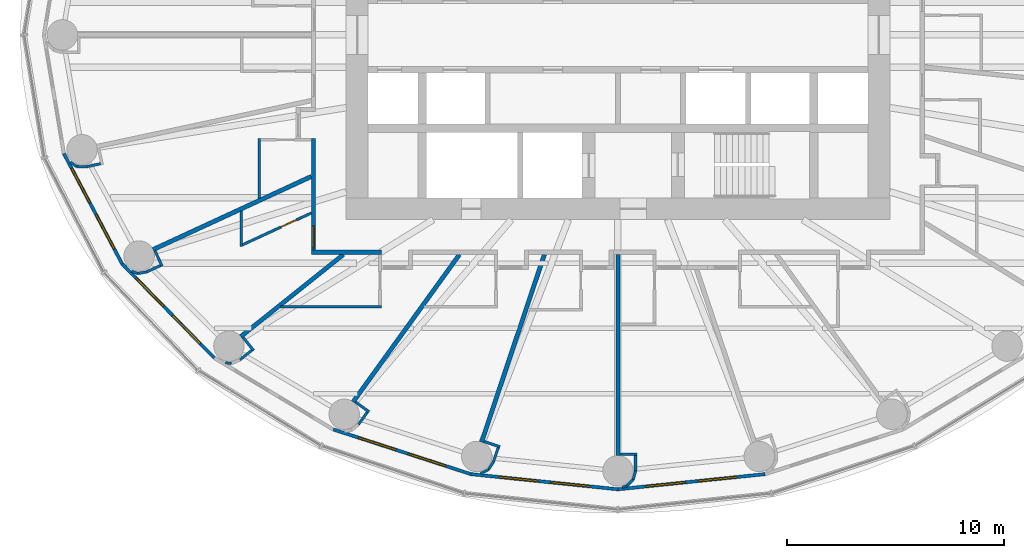
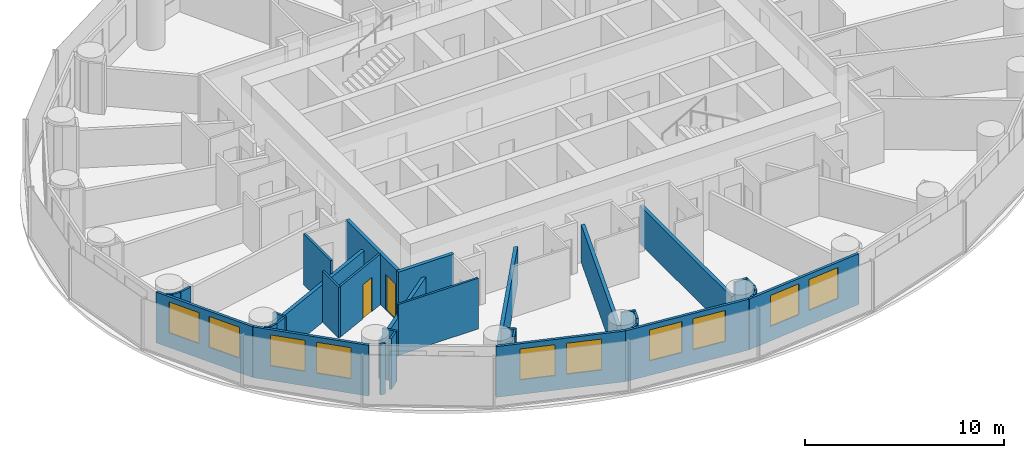
# One storey, part 6 of 14: 37 walls, 10 windows, 2 doors, 12 openings.
"""IFC4 building model written with IfcOpenShell, lengths in metres."""

from ifc_helpers import new_model, si_unit, direction, frame, frame_2d, origin, place, context, subcontext, project, spatial, rectangle, extrude, material, layer, layer_set, type_object, element, fill, save


model = new_model("IFC4")

# Units and contexts
model_context = context("Model", 3, precision=1e-05, world=origin(), true_north=direction((0.0, 1.0)))
body_context = subcontext(model_context, "Body", "Model", "MODEL_VIEW")
ifc_project = project(units=[si_unit("LENGTHUNIT", "METRE"), si_unit("AREAUNIT", "SQUARE_METRE"), si_unit("VOLUMEUNIT", "CUBIC_METRE"), si_unit("PLANEANGLEUNIT", "RADIAN"), si_unit("MASSUNIT", "GRAM", prefix="KILO")], contexts=[model_context])

# Site, building, storey
site_placement = place(None, origin())
site = spatial("IfcSite", under=ifc_project, at=site_placement, CompositionType="ELEMENT")
building_placement = place(site_placement, origin())
building = spatial("IfcBuilding", under=site, at=building_placement, Name="Hankou Lantern Tower", CompositionType="ELEMENT")
storey_placement = place(building_placement, frame((0.0, 0.0, 50.699951171875)))
storey = spatial("IfcBuildingStorey", under=building, at=storey_placement, Name="L11", CompositionType="ELEMENT", Elevation=50.699951171875)

# Wall, openings, windows
ifc_material_1 = material(Name="Aluminium spandrel panel on steel studs", Category="steel")
ifc_layer_1 = layer(ifc_material_1, 0.14990234375)
ifc_layer_set_1 = layer_set([ifc_layer_1], Name="Aluminium spandrel panel on steel studs")
wall_type_1 = type_object("IfcWallType", Name="EW1 INNER SKIN WALL 150", PredefinedType="ELEMENTEDWALL", material=ifc_layer_set_1)
wall_1_placement = place(storey_placement, frame((-25.482421875, -5.46240234375, 0.0), z_axis=(0.0, 0.0, 1.0), x_axis=(0.467296867008, -0.884100468321, 0.0)))
wall_1 = element("IfcWall", 1, at=wall_1_placement, inside=storey, type_object=wall_type_1, Name="Inner skin R14-R15 L11", PredefinedType="ELEMENTEDWALL", context=body_context, shape_type="SweptSolid", body=[
    extrude(rectangle(XDim=5.734375, YDim=0.14990234375, at=frame_2d((2.8671875, 0.0))), origin(), (0.0, 0.0, 1.0), 3.1201171875),
])
opening_1_placement = place(wall_1_placement, frame((0.76708984375, 0.0, 0.89990234375)))
opening_1 = element("IfcOpeningElement", 2, at=opening_1_placement, cuts=wall_1, Name="Opening W1", PredefinedType="OPENING", context=body_context, shape_type="SweptSolid", body=[
    extrude(rectangle(XDim=1.800048828125, YDim=1.89990234375, at=frame_2d((0.89990234375, 0.949951171875))), frame((0.0, 0.0849609375, 0.0), z_axis=(0.0, -1.0, 0.0), x_axis=(1.0, 0.0, 0.0)), (0.0, 0.0, 1.0), 0.169921875),
])
opening_2_placement = place(wall_1_placement, frame((3.167236328125, 0.0, 0.89990234375)))
opening_2 = element("IfcOpeningElement", 3, at=opening_2_placement, cuts=wall_1, Name="Opening W1", PredefinedType="OPENING", context=body_context, shape_type="SweptSolid", body=[
    extrude(rectangle(XDim=1.800048828125, YDim=1.89990234375, at=frame_2d((0.89990234375, 0.949951171875))), frame((0.0, 0.0849609375, 0.0), z_axis=(0.0, -1.0, 0.0), x_axis=(1.0, 0.0, 0.0)), (0.0, 0.0, 1.0), 0.169921875),
])
ifc_material_2 = material(Name="Aluminium framed double glazed window", Category="aluminium")
window_type = type_object("IfcWindowType", Name="W1 GUEST ROOM WINDOW 1800X1900", PartitioningType="DOUBLE_PANEL_VERTICAL", PredefinedType="WINDOW", material=ifc_material_2)
window_1_placement = place(opening_1_placement, origin())
window_1 = element("IfcWindow", 4, at=window_1_placement, inside=storey, type_object=window_type, Name="Window R14.1 L11", OverallHeight=1.89990234375, OverallWidth=1.800048828125, PartitioningType="SINGLE_PANEL", PredefinedType="WINDOW", context=body_context, shape_type="SweptSolid", body=[
    extrude(rectangle(XDim=1.800048828125, YDim=1.89990234375, at=frame_2d((0.89990234375, 0.949951171875))), frame((0.0, 0.030029296875, 0.0), z_axis=(0.0, -1.0, 0.0), x_axis=(1.0, 0.0, 0.0)), (0.0, 0.0, 1.0), 0.06005859375),
])
fill(opening_1, window_1)
window_2_placement = place(opening_2_placement, origin())
window_2 = element("IfcWindow", 5, at=window_2_placement, inside=storey, type_object=window_type, Name="Window R14.2 L11", OverallHeight=1.89990234375, OverallWidth=1.800048828125, PartitioningType="SINGLE_PANEL", PredefinedType="WINDOW", context=body_context, shape_type="SweptSolid", body=[
    extrude(rectangle(XDim=1.800048828125, YDim=1.89990234375, at=frame_2d((0.89990234375, 0.949951171875))), frame((0.0, 0.030029296875, 0.0), z_axis=(0.0, -1.0, 0.0), x_axis=(1.0, 0.0, 0.0)), (0.0, 0.0, 1.0), 0.06005859375),
])
fill(opening_2, window_2)

wall_2_placement = place(storey_placement, frame((-22.802734375, -10.5322265625, 0.0), z_axis=(0.0, 0.0, 1.0), x_axis=(0.699602905915, -0.714531856557, 0.0)))
wall_2 = element("IfcWall", 6, at=wall_2_placement, inside=storey, type_object=wall_type_1, Name="Inner skin R15-R16 L11", PredefinedType="ELEMENTEDWALL", context=body_context, shape_type="SweptSolid", body=[
    extrude(rectangle(XDim=6.05078125, YDim=0.14990234375, at=frame_2d((3.025390625, 0.0))), origin(), (0.0, 0.0, 1.0), 3.1201171875),
])
opening_3_placement = place(wall_2_placement, frame((0.925537109375, 0.0, 0.89990234375)))
opening_3 = element("IfcOpeningElement", 7, at=opening_3_placement, cuts=wall_2, Name="Opening W1", PredefinedType="OPENING", context=body_context, shape_type="SweptSolid", body=[
    extrude(rectangle(XDim=1.800048828125, YDim=1.89990234375, at=frame_2d((0.89990234375, 0.949951171875))), frame((0.0, 0.0849609375, 0.0), z_axis=(0.0, -1.0, 0.0), x_axis=(1.0, 0.0, 0.0)), (0.0, 0.0, 1.0), 0.169921875),
])
opening_4_placement = place(wall_2_placement, frame((3.325439453125, 0.0, 0.89990234375)))
opening_4 = element("IfcOpeningElement", 8, at=opening_4_placement, cuts=wall_2, Name="Opening W1", PredefinedType="OPENING", context=body_context, shape_type="SweptSolid", body=[
    extrude(rectangle(XDim=1.800048828125, YDim=1.89990234375, at=frame_2d((0.89990234375, 0.949951171875))), frame((0.0, 0.0849609375, 0.0), z_axis=(0.0, -1.0, 0.0), x_axis=(1.0, 0.0, 0.0)), (0.0, 0.0, 1.0), 0.169921875),
])
window_3_placement = place(opening_3_placement, origin())
window_3 = element("IfcWindow", 9, at=window_3_placement, inside=storey, type_object=window_type, Name="Window R15.1 L11", OverallHeight=1.89990234375, OverallWidth=1.800048828125, PartitioningType="SINGLE_PANEL", PredefinedType="WINDOW", context=body_context, shape_type="SweptSolid", body=[
    extrude(rectangle(XDim=1.800048828125, YDim=1.89990234375, at=frame_2d((0.89990234375, 0.949951171875))), frame((0.0, 0.030029296875, 0.0), z_axis=(0.0, -1.0, 0.0), x_axis=(1.0, 0.0, 0.0)), (0.0, 0.0, 1.0), 0.06005859375),
])
fill(opening_3, window_3)
window_4_placement = place(opening_4_placement, origin())
window_4 = element("IfcWindow", 10, at=window_4_placement, inside=storey, type_object=window_type, Name="Window R15.2 L11", OverallHeight=1.89990234375, OverallWidth=1.800048828125, PartitioningType="SINGLE_PANEL", PredefinedType="WINDOW", context=body_context, shape_type="SweptSolid", body=[
    extrude(rectangle(XDim=1.800048828125, YDim=1.89990234375, at=frame_2d((0.89990234375, 0.949951171875))), frame((0.0, 0.030029296875, 0.0), z_axis=(0.0, -1.0, 0.0), x_axis=(1.0, 0.0, 0.0)), (0.0, 0.0, 1.0), 0.06005859375),
])
fill(opening_4, window_4)

wall_3_placement = place(storey_placement, frame((-13.096435546875, -18.14697265625, 0.0), z_axis=(0.0, 0.0, 1.0), x_axis=(0.951137534625, -0.308767534285, 0.0)))
wall_3 = element("IfcWall", 11, at=wall_3_placement, inside=storey, type_object=wall_type_1, Name="Inner skin R17-R18 L11", PredefinedType="ELEMENTEDWALL", context=body_context, shape_type="SweptSolid", body=[
    extrude(rectangle(XDim=6.6552734375, YDim=0.14990234375, at=frame_2d((3.32763671875, 0.0))), origin(), (0.0, 0.0, 1.0), 3.1201171875),
])
opening_5_placement = place(wall_3_placement, frame((1.2275390625, 0.0, 0.89990234375)))
opening_5 = element("IfcOpeningElement", 12, at=opening_5_placement, cuts=wall_3, Name="Opening W1", PredefinedType="OPENING", context=body_context, shape_type="SweptSolid", body=[
    extrude(rectangle(XDim=1.800048828125, YDim=1.89990234375, at=frame_2d((0.89990234375, 0.949951171875))), frame((0.0, 0.0849609375, 0.0), z_axis=(0.0, -1.0, 0.0), x_axis=(1.0, 0.0, 0.0)), (0.0, 0.0, 1.0), 0.169921875),
])
opening_6_placement = place(wall_3_placement, frame((3.627685546875, 0.0, 0.89990234375)))
opening_6 = element("IfcOpeningElement", 13, at=opening_6_placement, cuts=wall_3, Name="Opening W1", PredefinedType="OPENING", context=body_context, shape_type="SweptSolid", body=[
    extrude(rectangle(XDim=1.800048828125, YDim=1.89990234375, at=frame_2d((0.89990234375, 0.949951171875))), frame((0.0, 0.0849609375, 0.0), z_axis=(0.0, -1.0, 0.0), x_axis=(1.0, 0.0, 0.0)), (0.0, 0.0, 1.0), 0.169921875),
])
window_5_placement = place(opening_5_placement, origin())
window_5 = element("IfcWindow", 14, at=window_5_placement, inside=storey, type_object=window_type, Name="Window R17.1 L11", OverallHeight=1.89990234375, OverallWidth=1.800048828125, PartitioningType="SINGLE_PANEL", PredefinedType="WINDOW", context=body_context, shape_type="SweptSolid", body=[
    extrude(rectangle(XDim=1.800048828125, YDim=1.89990234375, at=frame_2d((0.89990234375, 0.949951171875))), frame((0.0, 0.030029296875, 0.0), z_axis=(0.0, -1.0, 0.0), x_axis=(1.0, 0.0, 0.0)), (0.0, 0.0, 1.0), 0.06005859375),
])
fill(opening_5, window_5)
window_6_placement = place(opening_6_placement, origin())
window_6 = element("IfcWindow", 15, at=window_6_placement, inside=storey, type_object=window_type, Name="Window R17.2 L11", OverallHeight=1.89990234375, OverallWidth=1.800048828125, PartitioningType="SINGLE_PANEL", PredefinedType="WINDOW", context=body_context, shape_type="SweptSolid", body=[
    extrude(rectangle(XDim=1.800048828125, YDim=1.89990234375, at=frame_2d((0.89990234375, 0.949951171875))), frame((0.0, 0.030029296875, 0.0), z_axis=(0.0, -1.0, 0.0), x_axis=(1.0, 0.0, 0.0)), (0.0, 0.0, 1.0), 0.06005859375),
])
fill(opening_6, window_6)

wall_4_placement = place(storey_placement, frame((-6.766357421875, -20.201904296875, 0.0), z_axis=(0.0, 0.0, 1.0), x_axis=(0.994721394369, -0.102612609291, 0.0)))
wall_4 = element("IfcWall", 16, at=wall_4_placement, inside=storey, type_object=wall_type_1, Name="Inner skin R18-R19 L11", PredefinedType="ELEMENTEDWALL", context=body_context, shape_type="SweptSolid", body=[
    extrude(rectangle(XDim=6.80224609375, YDim=0.14990234375, at=frame_2d((3.401123046875, 0.0))), origin(), (0.0, 0.0, 1.0), 3.1201171875),
])
opening_7_placement = place(wall_4_placement, frame((1.301025390625, 0.0, 0.89990234375)))
opening_7 = element("IfcOpeningElement", 17, at=opening_7_placement, cuts=wall_4, Name="Opening W1", PredefinedType="OPENING", context=body_context, shape_type="SweptSolid", body=[
    extrude(rectangle(XDim=1.800048828125, YDim=1.89990234375, at=frame_2d((0.89990234375, 0.949951171875))), frame((0.0, 0.0849609375, 0.0), z_axis=(0.0, -1.0, 0.0), x_axis=(1.0, 0.0, 0.0)), (0.0, 0.0, 1.0), 0.169921875),
])
opening_8_placement = place(wall_4_placement, frame((3.701171875, 0.0, 0.89990234375)))
opening_8 = element("IfcOpeningElement", 18, at=opening_8_placement, cuts=wall_4, Name="Opening W1", PredefinedType="OPENING", context=body_context, shape_type="SweptSolid", body=[
    extrude(rectangle(XDim=1.800048828125, YDim=1.89990234375, at=frame_2d((0.89990234375, 0.949951171875))), frame((0.0, 0.0849609375, 0.0), z_axis=(0.0, -1.0, 0.0), x_axis=(1.0, 0.0, 0.0)), (0.0, 0.0, 1.0), 0.169921875),
])
window_7_placement = place(opening_7_placement, origin())
window_7 = element("IfcWindow", 19, at=window_7_placement, inside=storey, type_object=window_type, Name="Window R18.1 L11", OverallHeight=1.89990234375, OverallWidth=1.800048828125, PartitioningType="SINGLE_PANEL", PredefinedType="WINDOW", context=body_context, shape_type="SweptSolid", body=[
    extrude(rectangle(XDim=1.800048828125, YDim=1.89990234375, at=frame_2d((0.89990234375, 0.949951171875))), frame((0.0, 0.030029296875, 0.0), z_axis=(0.0, -1.0, 0.0), x_axis=(1.0, 0.0, 0.0)), (0.0, 0.0, 1.0), 0.06005859375),
])
fill(opening_7, window_7)
window_8_placement = place(opening_8_placement, origin())
window_8 = element("IfcWindow", 20, at=window_8_placement, inside=storey, type_object=window_type, Name="Window R18.2 L11", OverallHeight=1.89990234375, OverallWidth=1.800048828125, PartitioningType="SINGLE_PANEL", PredefinedType="WINDOW", context=body_context, shape_type="SweptSolid", body=[
    extrude(rectangle(XDim=1.800048828125, YDim=1.89990234375, at=frame_2d((0.89990234375, 0.949951171875))), frame((0.0, 0.030029296875, 0.0), z_axis=(0.0, -1.0, 0.0), x_axis=(1.0, 0.0, 0.0)), (0.0, 0.0, 1.0), 0.06005859375),
])
fill(opening_8, window_8)

wall_5_placement = place(storey_placement, frame((0.0, -20.89990234375, 0.0), z_axis=(0.0, 0.0, 1.0), x_axis=(0.994721394369, 0.102612609291, 0.0)))
wall_5 = element("IfcWall", 21, at=wall_5_placement, inside=storey, type_object=wall_type_1, Name="Inner skin R19-R20 L11", PredefinedType="ELEMENTEDWALL", context=body_context, shape_type="SweptSolid", body=[
    extrude(rectangle(XDim=6.80224609375, YDim=0.14990234375, at=frame_2d((3.401123046875, 0.0))), origin(), (0.0, 0.0, 1.0), 3.1201171875),
])
opening_9_placement = place(wall_5_placement, frame((1.301025390625, 0.0, 0.89990234375)))
opening_9 = element("IfcOpeningElement", 22, at=opening_9_placement, cuts=wall_5, Name="Opening W1", PredefinedType="OPENING", context=body_context, shape_type="SweptSolid", body=[
    extrude(rectangle(XDim=1.800048828125, YDim=1.89990234375, at=frame_2d((0.89990234375, 0.949951171875))), frame((0.0, 0.0849609375, 0.0), z_axis=(0.0, -1.0, 0.0), x_axis=(1.0, 0.0, 0.0)), (0.0, 0.0, 1.0), 0.169921875),
])
opening_10_placement = place(wall_5_placement, frame((3.701171875, 0.0, 0.89990234375)))
opening_10 = element("IfcOpeningElement", 23, at=opening_10_placement, cuts=wall_5, Name="Opening W1", PredefinedType="OPENING", context=body_context, shape_type="SweptSolid", body=[
    extrude(rectangle(XDim=1.800048828125, YDim=1.89990234375, at=frame_2d((0.89990234375, 0.949951171875))), frame((0.0, 0.0849609375, 0.0), z_axis=(0.0, -1.0, 0.0), x_axis=(1.0, 0.0, 0.0)), (0.0, 0.0, 1.0), 0.169921875),
])
window_9_placement = place(opening_9_placement, origin())
window_9 = element("IfcWindow", 24, at=window_9_placement, inside=storey, type_object=window_type, Name="Window R19.1 L11", OverallHeight=1.89990234375, OverallWidth=1.800048828125, PartitioningType="SINGLE_PANEL", PredefinedType="WINDOW", context=body_context, shape_type="SweptSolid", body=[
    extrude(rectangle(XDim=1.800048828125, YDim=1.89990234375, at=frame_2d((0.89990234375, 0.949951171875))), frame((0.0, 0.030029296875, 0.0), z_axis=(0.0, -1.0, 0.0), x_axis=(1.0, 0.0, 0.0)), (0.0, 0.0, 1.0), 0.06005859375),
])
fill(opening_9, window_9)
window_10_placement = place(opening_10_placement, origin())
window_10 = element("IfcWindow", 25, at=window_10_placement, inside=storey, type_object=window_type, Name="Window R19.2 L11", OverallHeight=1.89990234375, OverallWidth=1.800048828125, PartitioningType="SINGLE_PANEL", PredefinedType="WINDOW", context=body_context, shape_type="SweptSolid", body=[
    extrude(rectangle(XDim=1.800048828125, YDim=1.89990234375, at=frame_2d((0.89990234375, 0.949951171875))), frame((0.0, 0.030029296875, 0.0), z_axis=(0.0, -1.0, 0.0), x_axis=(1.0, 0.0, 0.0)), (0.0, 0.0, 1.0), 0.06005859375),
])
fill(opening_10, window_10)

# Walls
ifc_material_3 = material(Name="Masonry lightweight concrete block", Category="masonry")
ifc_layer_2 = layer(ifc_material_3, 0.199951171875)
ifc_layer_set_2 = layer_set([ifc_layer_2], Name="Masonry lightweight concrete block")
wall_type_2 = type_object("IfcWallType", Name="IW1 GUEST ROOM PARTY WALL 200", PredefinedType="PARTITIONING", material=ifc_layer_set_2)
wall_6_placement = place(storey_placement, frame((-14.10009765625, -6.512451171875, 0.0), z_axis=(0.0, 0.0, 1.0), x_axis=(-0.907832871056, -0.419332181247, 0.0)))
element("IfcWall", 26, at=wall_6_placement, inside=storey, type_object=wall_type_2, Name="Party wall R15", PredefinedType="PARTITIONING", context=body_context, shape_type="SweptSolid", body=[
    extrude(rectangle(XDim=8.02294921875, YDim=0.199951171875, at=frame_2d((4.011474609375, 0.0))), origin(), (0.0, 0.0, 1.0), 2.320068359375),
])
wall_7_placement = place(storey_placement, frame((-12.625, -10.10009765625, 0.0), z_axis=(0.0, 0.0, 1.0), x_axis=(-0.780892451574, -0.624665493744, 0.0)))
element("IfcWall", 27, at=wall_7_placement, inside=storey, type_object=wall_type_2, Name="Party wall R16", PredefinedType="PARTITIONING", context=body_context, shape_type="SweptSolid", body=[
    extrude(rectangle(XDim=6.044677734375, YDim=0.199951171875, at=frame_2d((3.0224609375, 0.0))), origin(), (0.0, 0.0, 1.0), 2.320068359375),
])
wall_8_placement = place(storey_placement, frame((-7.2890625, -10.10009765625, 0.0), z_axis=(0.0, 0.0, 1.0), x_axis=(-0.585198353053, -0.810890182197, 0.0)))
element("IfcWall", 28, at=wall_8_placement, inside=storey, type_object=wall_type_2, Name="Party wall R17", PredefinedType="PARTITIONING", context=body_context, shape_type="SweptSolid", body=[
    extrude(rectangle(XDim=8.359619140625, YDim=0.199951171875, at=frame_2d((4.1796875, 0.0))), origin(), (0.0, 0.0, 1.0), 2.320068359375),
])
wall_9_placement = place(storey_placement, frame((-3.3828125, -10.10009765625, 0.0), z_axis=(0.0, 0.0, 1.0), x_axis=(-0.31759592231, -0.948226149256, 0.0)))
element("IfcWall", 29, at=wall_9_placement, inside=storey, type_object=wall_type_2, Name="Party wall R18", PredefinedType="PARTITIONING", context=body_context, shape_type="SweptSolid", body=[
    extrude(rectangle(XDim=9.098388671875, YDim=0.199951171875, at=frame_2d((4.54931640625, 0.0))), origin(), (0.0, 0.0, 1.0), 2.320068359375),
])
wall_10_placement = place(storey_placement, frame((0.0, -10.10009765625, 0.0), z_axis=(0.0, 0.0, 1.0), x_axis=(0.0, -1.0, 0.0)))
element("IfcWall", 30, at=wall_10_placement, inside=storey, type_object=wall_type_2, Name="Party wall R19", PredefinedType="PARTITIONING", context=body_context, shape_type="SweptSolid", body=[
    extrude(rectangle(XDim=9.25, YDim=0.199951171875, at=frame_2d((4.625, 0.0))), origin(), (0.0, 0.0, 1.0), 2.320068359375),
])

# Wall, opening, door
ifc_material_4 = material(Name="Masonry lightweight concrete block", Category="masonry")
ifc_layer_3 = layer(ifc_material_4, 0.199951171875)
ifc_layer_set_3 = layer_set([ifc_layer_3], Name="Masonry lightweight concrete block")
wall_type_3 = type_object("IfcWallType", Name="IW2 CORRIDOR WALL 200", PredefinedType="PARTITIONING", material=ifc_layer_set_3)
wall_11_placement = place(storey_placement, frame((-14.0, -4.7724609375, 0.0), z_axis=(0.0, 0.0, 1.0), x_axis=(0.0, -1.0, 0.0)))
wall_11 = element("IfcWall", 31, at=wall_11_placement, inside=storey, type_object=wall_type_3, Name="Corridor wall west", PredefinedType="PARTITIONING", context=body_context, shape_type="SweptSolid", body=[
    extrude(rectangle(XDim=5.12744140625, YDim=0.199951171875, at=frame_2d((2.563720703125, 0.0))), origin(), (0.0, 0.0, 1.0), 3.1201171875),
])
opening_11_placement = place(wall_11_placement, frame((4.02490234375, 0.0, 0.0)))
opening_11 = element("IfcOpeningElement", 32, at=opening_11_placement, cuts=wall_11, Name="Opening D1", PredefinedType="OPENING", context=body_context, shape_type="SweptSolid", body=[
    extrude(rectangle(XDim=1.0, YDim=2.199951171875, at=frame_2d((0.5, 1.10009765625))), frame((0.0, 0.10986328125, 0.0), z_axis=(0.0, -1.0, 0.0), x_axis=(1.0, 0.0, 0.0)), (0.0, 0.0, 1.0), 0.219970703125),
])
ifc_material_5 = material(Name="Steel door leaf", Category="steel")
door_type_1 = type_object("IfcDoorType", Name="D1 GUEST ROOM DOOR 1000X2200", OperationType="SINGLE_SWING_LEFT", PredefinedType="DOOR", material=ifc_material_5)
door_1_placement = place(opening_11_placement, origin())
door_1 = element("IfcDoor", 33, at=door_1_placement, inside=storey, type_object=door_type_1, Name="Guest room door 1111", OperationType="SINGLE_SWING_RIGHT", OverallHeight=2.199951171875, OverallWidth=1.0, PredefinedType="DOOR", context=body_context, shape_type="SweptSolid", body=[
    extrude(rectangle(XDim=1.0, YDim=2.199951171875, at=frame_2d((0.5, 1.10009765625))), frame((0.0, 0.02490234375, 0.0), z_axis=(0.0, -1.0, 0.0), x_axis=(1.0, 0.0, 0.0)), (0.0, 0.0, 1.0), 0.050048828125),
])
fill(opening_11, door_1)

# Walls
wall_12_placement = place(storey_placement, frame((-10.885009765625, -10.0, 0.0), z_axis=(0.0, 0.0, 1.0), x_axis=(-1.0, 0.0, 0.0)))
element("IfcWall", 34, at=wall_12_placement, inside=storey, type_object=wall_type_3, Name="Corridor wall south", PredefinedType="PARTITIONING", context=body_context, shape_type="SweptSolid", body=[
    extrude(rectangle(XDim=3.215087890625, YDim=0.199951171875, at=frame_2d((1.607421875, 0.0))), origin(), (0.0, 0.0, 1.0), 3.1201171875),
])
ifc_material_6 = material(Name="Masonry lightweight concrete block", Category="masonry")
ifc_layer_4 = layer(ifc_material_6, 0.1201171875)
ifc_layer_set_4 = layer_set([ifc_layer_4], Name="Masonry lightweight concrete block")
wall_type_4 = type_object("IfcWallType", Name="IW3 BATHROOM WALL 120", PredefinedType="PARTITIONING", material=ifc_layer_set_4)
wall_13_placement = place(storey_placement, frame((-16.5, -7.52099609375, 0.0), z_axis=(0.0, 0.0, 1.0), x_axis=(0.0, 1.0, 0.0)))
element("IfcWall", 35, at=wall_13_placement, inside=storey, type_object=wall_type_4, Name="Box wall 1110 1", PredefinedType="PARTITIONING", context=body_context, shape_type="SweptSolid", body=[
    extrude(rectangle(XDim=2.74853515625, YDim=0.1201171875, at=frame_2d((1.374267578125, 0.0))), origin(), (0.0, 0.0, 1.0), 3.1201171875),
])
wall_14_placement = place(storey_placement, frame((-17.32275390625, -8.10107421875, 0.0), z_axis=(0.0, 0.0, 1.0), x_axis=(0.0, -1.0, 0.0)))
element("IfcWall", 36, at=wall_14_placement, inside=storey, type_object=wall_type_4, Name="Box wall 1111 1", PredefinedType="PARTITIONING", context=body_context, shape_type="SweptSolid", body=[
    extrude(rectangle(XDim=1.639892578125, YDim=0.1201171875, at=frame_2d((0.81982421875, 0.0))), origin(), (0.0, 0.0, 1.0), 3.1201171875),
])

# Wall, opening, door
wall_15_placement = place(storey_placement, frame((-14.10009765625, -8.192626953125, 0.0), z_axis=(0.0, 0.0, 1.0), x_axis=(-0.907836493557, -0.419324338628, 0.0)))
wall_15 = element("IfcWall", 37, at=wall_15_placement, inside=storey, type_object=wall_type_4, Name="Box wall 1111 1", PredefinedType="PARTITIONING", context=body_context, shape_type="SweptSolid", body=[
    extrude(rectangle(XDim=3.48974609375, YDim=0.1201171875, at=frame_2d((1.744873046875, 0.0))), origin(), (0.0, 0.0, 1.0), 3.1201171875),
])
opening_12_placement = place(wall_15_placement, frame((0.75, 0.0, 0.0)))
opening_12 = element("IfcOpeningElement", 38, at=opening_12_placement, cuts=wall_15, Name="Opening D3", PredefinedType="OPENING", context=body_context, shape_type="SweptSolid", body=[
    extrude(rectangle(XDim=0.800048828125, YDim=2.10009765625, at=frame_2d((0.39990234375, 1.050048828125))), frame((0.0, 0.070068359375, 0.0), z_axis=(0.0, -1.0, 0.0), x_axis=(1.0, 0.0, 0.0)), (0.0, 0.0, 1.0), 0.14013671875),
])
ifc_material_7 = material(Name="Timber door leaf", Category="wood")
door_type_2 = type_object("IfcDoorType", Name="D3 BATHROOM DOOR 800X2100", OperationType="SINGLE_SWING_LEFT", PredefinedType="DOOR", material=ifc_material_7)
door_2_placement = place(opening_12_placement, origin())
door_2 = element("IfcDoor", 39, at=door_2_placement, inside=storey, type_object=door_type_2, Name="En-suite bathroom 1111 door", OperationType="SINGLE_SWING_LEFT", OverallHeight=2.10009765625, OverallWidth=0.800048828125, PredefinedType="DOOR", context=body_context, shape_type="SweptSolid", body=[
    extrude(rectangle(XDim=0.800048828125, YDim=2.10009765625, at=frame_2d((0.39990234375, 1.050048828125))), frame((0.0, 0.02490234375, 0.0), z_axis=(0.0, -1.0, 0.0), x_axis=(1.0, 0.0, 0.0)), (0.0, 0.0, 1.0), 0.050048828125),
])
fill(opening_12, door_2)

# Walls
wall_16_placement = place(storey_placement, frame((-15.52490234375, -12.5, 0.0), z_axis=(0.0, 0.0, 1.0), x_axis=(1.0, 0.0, 0.0)))
element("IfcWall", 40, at=wall_16_placement, inside=storey, type_object=wall_type_4, Name="Box wall 1112 1", PredefinedType="PARTITIONING", context=body_context, shape_type="SweptSolid", body=[
    extrude(rectangle(XDim=4.639892578125, YDim=0.1201171875, at=frame_2d((2.31982421875, 0.0))), origin(), (0.0, 0.0, 1.0), 3.1201171875),
])
ifc_material_8 = material(Name="Masonry lightweight concrete block", Category="masonry")
ifc_layer_5 = layer(ifc_material_8, 0.1201171875)
ifc_layer_set_5 = layer_set([ifc_layer_5], Name="Masonry lightweight concrete block")
wall_type_5 = type_object("IfcWallType", Name="IW4 PARTITION 120", PredefinedType="PARTITIONING", material=ifc_layer_set_5)
wall_17_placement = place(storey_placement, frame((-23.793212890625, -5.92626953125, 0.0), z_axis=(0.0, 0.0, 1.0), x_axis=(-0.977792206673, -0.209576717621, 0.0)))
element("IfcWall", 41, at=wall_17_placement, inside=storey, type_object=wall_type_5, Name="Column casing R14", PredefinedType="PARTITIONING", context=body_context, shape_type="SweptSolid", body=[
    extrude(rectangle(XDim=0.7001953125, YDim=0.1201171875, at=frame_2d((0.35009765625, 0.0))), origin(), (0.0, 0.0, 1.0), 3.1201171875),
])
wall_18_placement = place(storey_placement, frame((-24.477783203125, -6.072998046875, 0.0), z_axis=(0.0, 0.0, 1.0), x_axis=(-0.998708262812, 0.05081147302, 0.0)))
element("IfcWall", 42, at=wall_18_placement, inside=storey, type_object=wall_type_5, Name="Column casing R14", PredefinedType="PARTITIONING", context=body_context, shape_type="SweptSolid", body=[
    extrude(rectangle(XDim=0.41796875, YDim=0.1201171875, at=frame_2d((0.208984375, 0.0))), origin(), (0.0, 0.0, 1.0), 3.1201171875),
])
wall_19_placement = place(storey_placement, frame((-24.895263671875, -6.0517578125, 0.0), z_axis=(0.0, 0.0, 1.0), x_axis=(-0.839495197275, 0.54336710772, 0.0)))
element("IfcWall", 43, at=wall_19_placement, inside=storey, type_object=wall_type_5, Name="Column casing R14", PredefinedType="PARTITIONING", context=body_context, shape_type="SweptSolid", body=[
    extrude(rectangle(XDim=0.349609375, YDim=0.1201171875, at=frame_2d((0.1748046875, 0.0))), origin(), (0.0, 0.0, 1.0), 3.1201171875),
])
wall_20_placement = place(storey_placement, frame((-21.287109375, -9.9423828125, 0.0), z_axis=(0.0, 0.0, 1.0), x_axis=(0.419259891039, -0.907866258744, 0.0)))
element("IfcWall", 44, at=wall_20_placement, inside=storey, type_object=wall_type_5, Name="Column casing R15 return", PredefinedType="PARTITIONING", context=body_context, shape_type="SweptSolid", body=[
    extrude(rectangle(XDim=0.767578125, YDim=0.1201171875, at=frame_2d((0.3837890625, 0.0))), origin(), (0.0, 0.0, 1.0), 3.1201171875),
])
wall_21_placement = place(storey_placement, frame((-21.044921875, -10.60986328125, 0.0), z_axis=(0.0, 0.0, 1.0), x_axis=(-0.907877701396, -0.419235112208, 0.0)))
element("IfcWall", 45, at=wall_21_placement, inside=storey, type_object=wall_type_5, Name="Column casing R15", PredefinedType="PARTITIONING", context=body_context, shape_type="SweptSolid", body=[
    extrude(rectangle(XDim=0.699951171875, YDim=0.1201171875, at=frame_2d((0.35009765625, 0.0))), origin(), (0.0, 0.0, 1.0), 3.1201171875),
])
wall_22_placement = place(storey_placement, frame((-21.680419921875, -10.9033203125, 0.0), z_axis=(0.0, 0.0, 1.0), x_axis=(-0.985446622073, -0.169985161247, 0.0)))
element("IfcWall", 46, at=wall_22_placement, inside=storey, type_object=wall_type_5, Name="Column casing R15", PredefinedType="PARTITIONING", context=body_context, shape_type="SweptSolid", body=[
    extrude(rectangle(XDim=0.41796875, YDim=0.1201171875, at=frame_2d((0.208984375, 0.0))), origin(), (0.0, 0.0, 1.0), 3.1201171875),
])
wall_23_placement = place(storey_placement, frame((-22.09228515625, -10.974365234375, 0.0), z_axis=(0.0, 0.0, 1.0), x_axis=(-0.938428160676, 0.345474437912, 0.0)))
element("IfcWall", 47, at=wall_23_placement, inside=storey, type_object=wall_type_5, Name="Column casing R15", PredefinedType="PARTITIONING", context=body_context, shape_type="SweptSolid", body=[
    extrude(rectangle(XDim=0.2939453125, YDim=0.1201171875, at=frame_2d((0.14697265625, 0.0))), origin(), (0.0, 0.0, 1.0), 3.1201171875),
])
wall_24_placement = place(storey_placement, frame((-17.23583984375, -13.916748046875, 0.0), z_axis=(0.0, 0.0, 1.0), x_axis=(0.624695047554, -0.780868809443, 0.0)))
element("IfcWall", 48, at=wall_24_placement, inside=storey, type_object=wall_type_5, Name="Column casing R16 return", PredefinedType="PARTITIONING", context=body_context, shape_type="SweptSolid", body=[
    extrude(rectangle(XDim=0.767578125, YDim=0.1201171875, at=frame_2d((0.3837890625, 0.0))), origin(), (0.0, 0.0, 1.0), 3.1201171875),
])
wall_25_placement = place(storey_placement, frame((-16.840576171875, -14.506591796875, 0.0), z_axis=(0.0, 0.0, 1.0), x_axis=(-0.780902834923, -0.62465251333, 0.0)))
element("IfcWall", 49, at=wall_25_placement, inside=storey, type_object=wall_type_5, Name="Column casing R16", PredefinedType="PARTITIONING", context=body_context, shape_type="SweptSolid", body=[
    extrude(rectangle(XDim=0.699951171875, YDim=0.1201171875, at=frame_2d((0.35009765625, 0.0))), origin(), (0.0, 0.0, 1.0), 3.1201171875),
])
wall_26_placement = place(storey_placement, frame((-17.770263671875, -15.111572265625, 0.0), z_axis=(0.0, 0.0, 1.0), x_axis=(-0.993904401174, 0.110245368731, 0.0)))
element("IfcWall", 50, at=wall_26_placement, inside=storey, type_object=wall_type_5, Name="Column casing R16", PredefinedType="PARTITIONING", context=body_context, shape_type="SweptSolid", body=[
    extrude(rectangle(XDim=0.287841796875, YDim=0.1201171875, at=frame_2d((0.14404296875, 0.0))), origin(), (0.0, 0.0, 1.0), 3.1201171875),
])
wall_27_placement = place(storey_placement, frame((-12.06494140625, -16.888671875, 0.0), z_axis=(0.0, 0.0, 1.0), x_axis=(0.810821798253, -0.585293098778, 0.0)))
element("IfcWall", 51, at=wall_27_placement, inside=storey, type_object=wall_type_5, Name="Column casing R17 return", PredefinedType="PARTITIONING", context=body_context, shape_type="SweptSolid", body=[
    extrude(rectangle(XDim=0.767578125, YDim=0.1201171875, at=frame_2d((0.3837890625, 0.0))), origin(), (0.0, 0.0, 1.0), 3.1201171875),
])
wall_28_placement = place(storey_placement, frame((-11.5263671875, -17.351318359375, 0.0), z_axis=(0.0, 0.0, 1.0), x_axis=(-0.585223113993, -0.810872312296, 0.0)))
element("IfcWall", 52, at=wall_28_placement, inside=storey, type_object=wall_type_5, Name="Column casing R17", PredefinedType="PARTITIONING", context=body_context, shape_type="SweptSolid", body=[
    extrude(rectangle(XDim=0.699951171875, YDim=0.1201171875, at=frame_2d((0.35009765625, 0.0))), origin(), (0.0, 0.0, 1.0), 3.1201171875),
])
wall_29_placement = place(storey_placement, frame((-6.15869140625, -18.702392578125, 0.0), z_axis=(0.0, 0.0, 1.0), x_axis=(0.948173154049, -0.31775410295, 0.0)))
element("IfcWall", 53, at=wall_29_placement, inside=storey, type_object=wall_type_5, Name="Column casing R18 return", PredefinedType="PARTITIONING", context=body_context, shape_type="SweptSolid", body=[
    extrude(rectangle(XDim=0.767578125, YDim=0.1201171875, at=frame_2d((0.3837890625, 0.0))), origin(), (0.0, 0.0, 1.0), 3.1201171875),
])
wall_30_placement = place(storey_placement, frame((-5.5068359375, -18.984130859375, 0.0), z_axis=(0.0, 0.0, 1.0), x_axis=(-0.317692050622, -0.948193946918, 0.0)))
element("IfcWall", 54, at=wall_30_placement, inside=storey, type_object=wall_type_5, Name="Column casing R18", PredefinedType="PARTITIONING", context=body_context, shape_type="SweptSolid", body=[
    extrude(rectangle(XDim=0.7001953125, YDim=0.1201171875, at=frame_2d((0.35009765625, 0.0))), origin(), (0.0, 0.0, 1.0), 3.1201171875),
])
wall_31_placement = place(storey_placement, frame((-5.729248046875, -19.64794921875, 0.0), z_axis=(0.0, 0.0, 1.0), x_axis=(-0.552135764955, -0.833754218615, 0.0)))
element("IfcWall", 55, at=wall_31_placement, inside=storey, type_object=wall_type_5, Name="Column casing R18", PredefinedType="PARTITIONING", context=body_context, shape_type="SweptSolid", body=[
    extrude(rectangle(XDim=0.41796875, YDim=0.1201171875, at=frame_2d((0.208984375, 0.0))), origin(), (0.0, 0.0, 1.0), 3.1201171875),
])
wall_32_placement = place(storey_placement, frame((-5.9599609375, -19.996337890625, 0.0), z_axis=(0.0, 0.0, 1.0), x_axis=(-0.895160725913, -0.445743507842, 0.0)))
element("IfcWall", 56, at=wall_32_placement, inside=storey, type_object=wall_type_5, Name="Column casing R18", PredefinedType="PARTITIONING", context=body_context, shape_type="SweptSolid", body=[
    extrude(rectangle(XDim=0.398681640625, YDim=0.1201171875, at=frame_2d((0.19921875, 0.0))), origin(), (0.0, 0.0, 1.0), 3.1201171875),
])
wall_33_placement = place(storey_placement, frame((0.10009765625, -19.2900390625, 0.0), z_axis=(0.0, 0.0, 1.0), x_axis=(1.0, 0.0, 0.0)))
element("IfcWall", 57, at=wall_33_placement, inside=storey, type_object=wall_type_5, Name="Column casing R19 return", PredefinedType="PARTITIONING", context=body_context, shape_type="SweptSolid", body=[
    extrude(rectangle(XDim=0.767333984375, YDim=0.1201171875, at=frame_2d((0.3837890625, 0.0))), origin(), (0.0, 0.0, 1.0), 3.1201171875),
])
wall_34_placement = place(storey_placement, frame((0.8076171875, -19.35009765625, 0.0), z_axis=(0.0, 0.0, 1.0), x_axis=(0.0, -1.0, 0.0)))
element("IfcWall", 58, at=wall_34_placement, inside=storey, type_object=wall_type_5, Name="Column casing R19", PredefinedType="PARTITIONING", context=body_context, shape_type="SweptSolid", body=[
    extrude(rectangle(XDim=0.699951171875, YDim=0.1201171875, at=frame_2d((0.35009765625, 0.0))), origin(), (0.0, 0.0, 1.0), 3.1201171875),
])
wall_35_placement = place(storey_placement, frame((0.8076171875, -20.050048828125, 0.0), z_axis=(0.0, 0.0, 1.0), x_axis=(-0.2592614205, -0.965807183573, 0.0)))
element("IfcWall", 59, at=wall_35_placement, inside=storey, type_object=wall_type_5, Name="Column casing R19", PredefinedType="PARTITIONING", context=body_context, shape_type="SweptSolid", body=[
    extrude(rectangle(XDim=0.418212890625, YDim=0.1201171875, at=frame_2d((0.208984375, 0.0))), origin(), (0.0, 0.0, 1.0), 3.1201171875),
])
wall_36_placement = place(storey_placement, frame((0.69921875, -20.453857421875, 0.0), z_axis=(0.0, 0.0, 1.0), x_axis=(-0.707106781187, -0.707106781187, 0.0)))
element("IfcWall", 60, at=wall_36_placement, inside=storey, type_object=wall_type_5, Name="Column casing R19", PredefinedType="PARTITIONING", context=body_context, shape_type="SweptSolid", body=[
    extrude(rectangle(XDim=0.417724609375, YDim=0.1201171875, at=frame_2d((0.208984375, 0.0))), origin(), (0.0, 0.0, 1.0), 3.1201171875),
])
wall_37_placement = place(storey_placement, frame((0.40380859375, -20.749267578125, 0.0), z_axis=(0.0, 0.0, 1.0), x_axis=(-0.965759066438, -0.25944060128, 0.0)))
element("IfcWall", 61, at=wall_37_placement, inside=storey, type_object=wall_type_5, Name="Column casing R19", PredefinedType="PARTITIONING", context=body_context, shape_type="SweptSolid", body=[
    extrude(rectangle(XDim=0.213623046875, YDim=0.1201171875, at=frame_2d((0.10693359375, 0.0))), origin(), (0.0, 0.0, 1.0), 3.1201171875),
])

save(model, "model.ifc")
